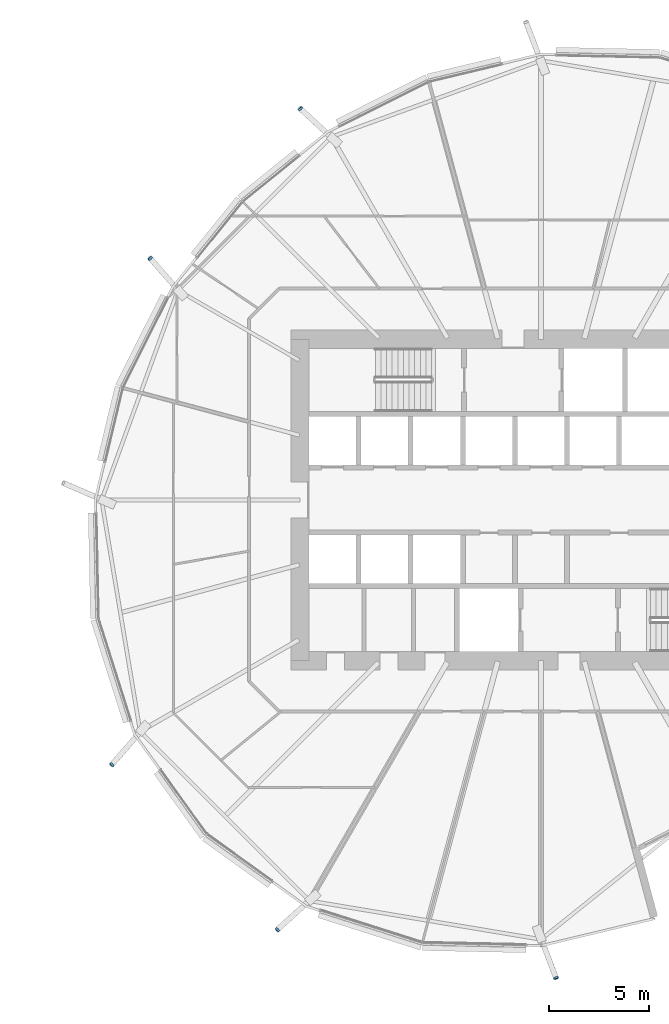
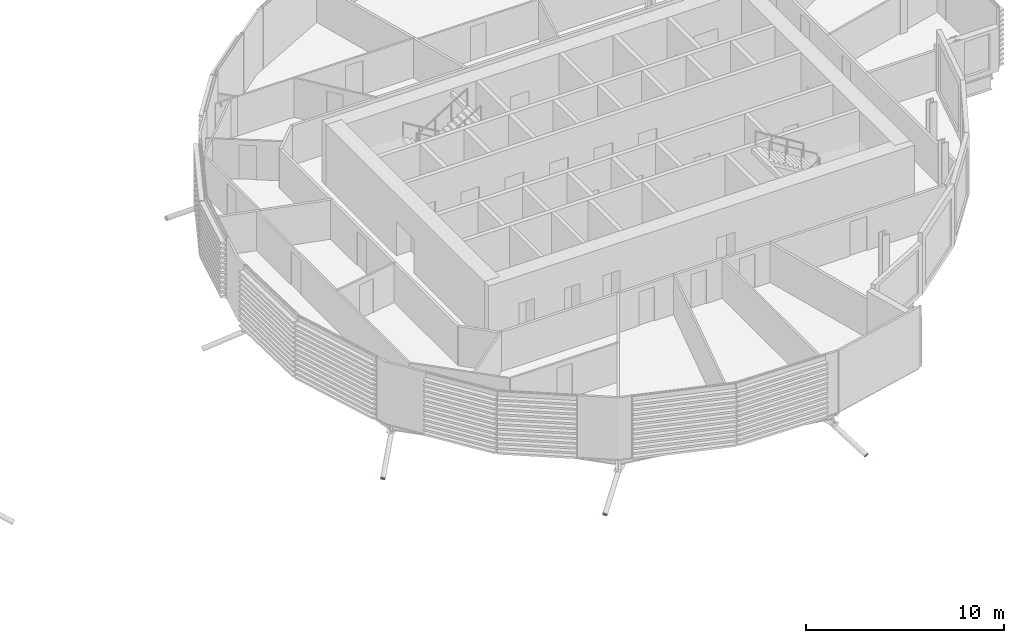
# One storey, part 30 of 38: 5 discrete accessories.
"""IFC4 building model written with IfcOpenShell, lengths in metres."""

from ifc_helpers import new_model, si_unit, direction, frame, origin, origin_2d, place, context, subcontext, project, spatial, circle, extrude, material, material_profile, profile_set, type_object, element, save


model = new_model("IFC4")

# Units and contexts
model_context = context("Model", 3, precision=1e-05, world=origin(), true_north=direction((0.0, 1.0)))
body_context = subcontext(model_context, "Body", "Model", "MODEL_VIEW")
ifc_project = project(units=[si_unit("LENGTHUNIT", "METRE"), si_unit("AREAUNIT", "SQUARE_METRE"), si_unit("VOLUMEUNIT", "CUBIC_METRE"), si_unit("PLANEANGLEUNIT", "RADIAN"), si_unit("MASSUNIT", "GRAM", prefix="KILO")], contexts=[model_context])

# Site, building, storey
site_placement = place(None, origin())
site = spatial("IfcSite", under=ifc_project, at=site_placement, CompositionType="ELEMENT")
building_placement = place(site_placement, origin())
building = spatial("IfcBuilding", under=site, at=building_placement, Name="Rimbun Link Towers", CompositionType="ELEMENT")
storey_placement = place(building_placement, frame((0.0, 0.0, 68.0)))
storey = spatial("IfcBuildingStorey", under=building, at=storey_placement, Name="L16", CompositionType="ELEMENT", Elevation=68.0)

# Discrete accessories
ifc_material = material(Name="Steel S355J2H", Category="steel")
ifc_material_profile = material_profile(ifc_material, circle(Radius=0.1240234375, at=origin_2d()), Name="PL D248")
ifc_profile_set = profile_set([ifc_material_profile], Name="Steel S355J2H")
discrete_accessory_type = type_object("IfcDiscreteAccessoryType", Name="Link foot sealing plate D248X20", PredefinedType="BRACKET", material=ifc_profile_set)
for number, where, z_axis, x_axis, name in (
    (1, (19.777587890625, 19.472412109375, -2.1044921875), (-0.635803253097, 0.586895310551, -0.501306411095), (-0.678280102733, -0.734803444627, 0.0), "Link foot sealing plate T2 L16 05"),
    (2, (12.30615234375, 12.021240234375, -1.963134765625), (-0.563284074751, 0.636755910588, -0.526548156832), (-0.74899656249, -0.662573882203, 0.0), "Link foot sealing plate T2 L16 07"),
    (3, (10.396728515625, -13.166259765625, -2.07763671875), (-0.561435032214, -0.659075907382, -0.500409485234), (0.761243230487, -0.6484664556, 0.0), "Link foot sealing plate T2 L16 11"),
):
    element("IfcDiscreteAccessory", number, at=place(storey_placement, frame(where, z_axis=z_axis, x_axis=x_axis)), inside=storey, type_object=discrete_accessory_type, Name=name, PredefinedType="BRACKET", context=body_context, shape_type="SweptSolid", body=[
        extrude(circle(Radius=0.1240234375, at=origin_2d()), origin(), (0.0, 0.0, 1.0), 0.02001953125),
    ])
discrete_accessory_1_placement = place(storey_placement, frame((18.635009765625, -21.380859375, -2.208251953125), z_axis=(-0.653024103439, -0.592558908676, -0.47162851915), x_axis=(0.671989906513, -0.740560305137, 0.0)))
element("IfcDiscreteAccessory", 4, at=discrete_accessory_1_placement, inside=storey, type_object=discrete_accessory_type, Name="Link foot sealing plate T2 L16 13", PredefinedType="BRACKET", context=body_context, shape_type="SweptSolid", body=[
    extrude(circle(Radius=0.1240234375, at=origin_2d()), origin(), (0.0, 0.0, 1.0), 0.020263671875),
])
discrete_accessory_2_placement = place(storey_placement, frame((32.494873046875, -23.78466796875, -1.94970703125), z_axis=(0.320037876546, -0.861640436855, -0.393892771134), x_axis=(0.93742527201, 0.348186529604, 0.0)))
element("IfcDiscreteAccessory", 5, at=discrete_accessory_2_placement, inside=storey, type_object=discrete_accessory_type, Name="Link foot sealing plate T2 L16 15", PredefinedType="BRACKET", context=body_context, shape_type="SweptSolid", body=[
    extrude(circle(Radius=0.1240234375, at=origin_2d()), origin(), (0.0, 0.0, 1.0), 0.019775390625),
])

save(model, "model.ifc")
